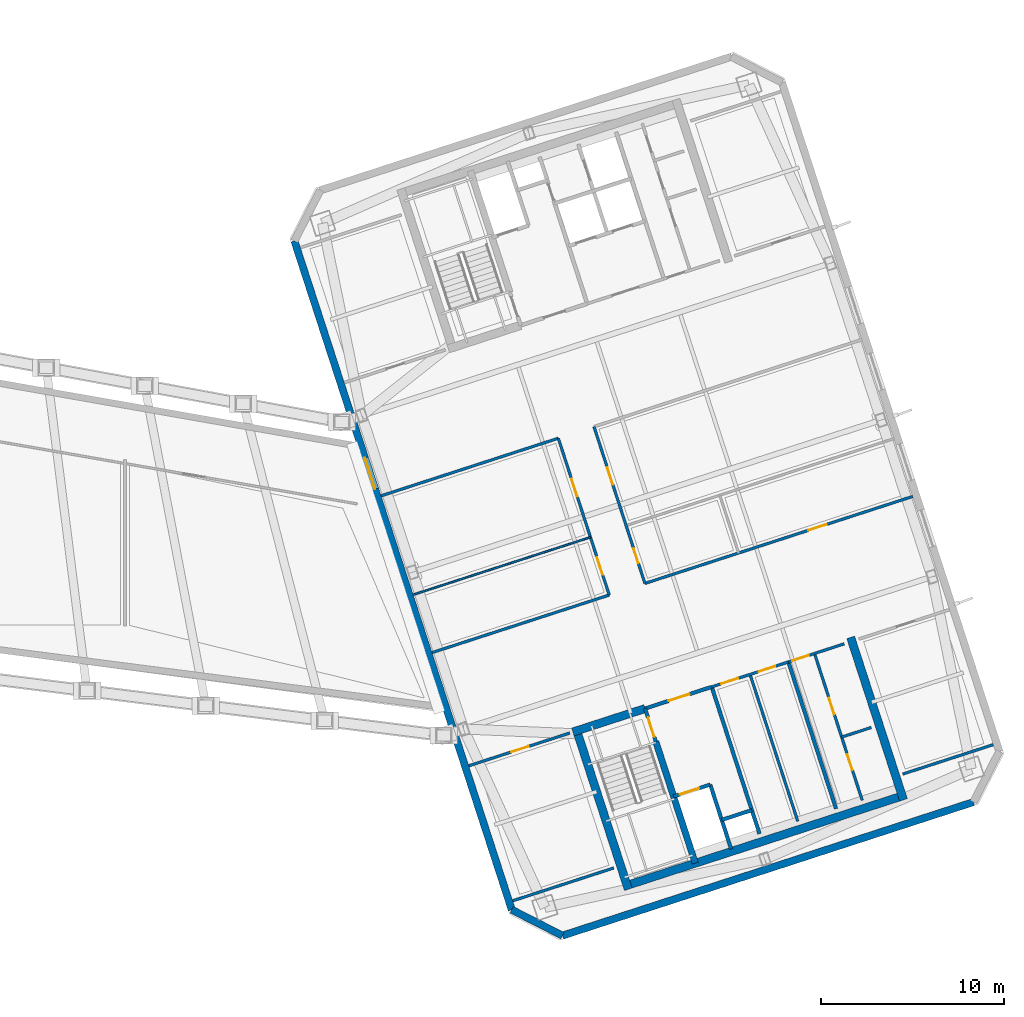
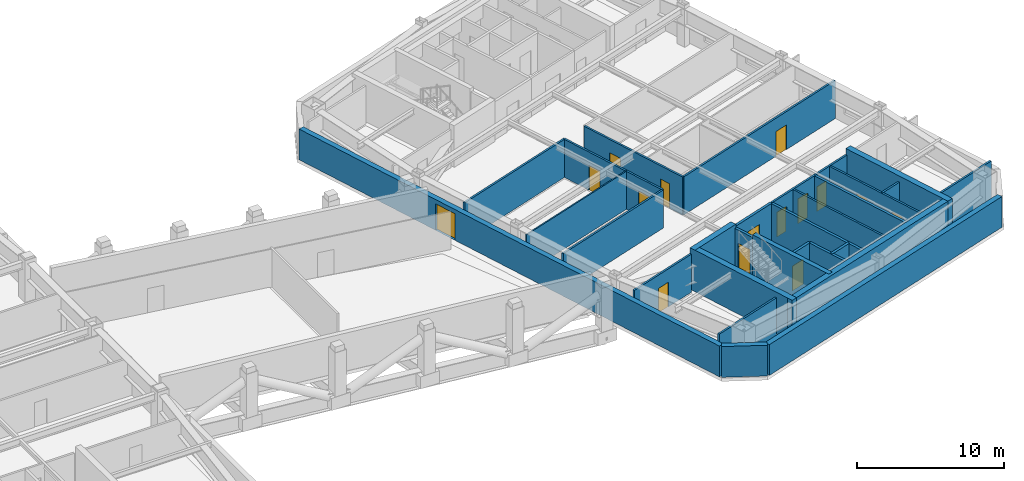
# One storey, part 9 of 19: 29 walls, 15 doors, 15 openings.
"""IFC4 building model written with IfcOpenShell, lengths in metres."""

from ifc_helpers import new_model, si_unit, direction, frame, frame_2d, origin, place, context, subcontext, project, spatial, rectangle, extrude, material, layer, layer_set, type_object, element, fill, save


model = new_model("IFC4")

# Units and contexts
model_context = context("Model", 3, precision=1e-05, world=origin(), true_north=direction((0.0, 1.0)))
body_context = subcontext(model_context, "Body", "Model", "MODEL_VIEW")
ifc_project = project(units=[si_unit("LENGTHUNIT", "METRE"), si_unit("AREAUNIT", "SQUARE_METRE"), si_unit("VOLUMEUNIT", "CUBIC_METRE"), si_unit("PLANEANGLEUNIT", "RADIAN"), si_unit("MASSUNIT", "GRAM", prefix="KILO")], contexts=[model_context])

# Site, building, storey
site_placement = place(None, origin())
site = spatial("IfcSite", under=ifc_project, at=site_placement, CompositionType="ELEMENT")
building_placement = place(site_placement, origin())
building = spatial("IfcBuilding", under=site, at=building_placement, Name="Qiaolan Cultural Towers", CompositionType="ELEMENT")
storey_placement = place(building_placement, frame((0.0, 0.0, 216.199951171875)))
storey = spatial("IfcBuildingStorey", under=building, at=storey_placement, Name="L58", CompositionType="ELEMENT", Elevation=216.199951171875)

# Walls
ifc_material_1 = material(Name="Concrete C50", Category="concrete")
ifc_layer_1 = layer(ifc_material_1, 0.35009765625)
ifc_layer_set_1 = layer_set([ifc_layer_1], Name="Concrete C50")
wall_type_1 = type_object("IfcWallType", Name="WL-CORE-350", PredefinedType="SHEAR", material=ifc_layer_set_1)
wall_1_placement = place(storey_placement, frame((90.486328125, 20.59423828125, 0.0), z_axis=(0.0, 0.0, 1.0), x_axis=(0.309020428229, -0.951055400562, 0.0)))
element("IfcWall", 1, at=wall_1_placement, inside=storey, type_object=wall_type_1, Name="L58 T2-CS Stair Core Dividing Web", PredefinedType="SHEAR", context=body_context, shape_type="SweptSolid", body=[
    extrude(rectangle(XDim=6.97998046875, YDim=0.35009765625, at=frame_2d((3.489990234375, 0.0))), origin(), (0.0, 0.0, 1.0), 3.449951171875),
])
ifc_material_2 = material(Name="Concrete C50", Category="concrete")
ifc_layer_2 = layer(ifc_material_2, 0.449951171875)
ifc_layer_set_2 = layer_set([ifc_layer_2], Name="Concrete C50")
wall_type_2 = type_object("IfcWallType", Name="WL-CORE-450", PredefinedType="SHEAR", material=ifc_layer_set_2)
wall_2_placement = place(storey_placement, frame((88.701171875, 12.675048828125, 0.0), z_axis=(0.0, 0.0, 1.0), x_axis=(0.95105824505, 0.309011673763, 0.0)))
element("IfcWall", 2, at=wall_2_placement, inside=storey, type_object=wall_type_2, Name="L58 T2-CS Outer Core Shear Wall", PredefinedType="SHEAR", context=body_context, shape_type="SweptSolid", body=[
    extrude(rectangle(XDim=16.250244140625, YDim=0.449951171875, at=frame_2d((8.125, 0.0))), origin(), (0.0, 0.0, 1.0), 3.449951171875),
])
for number, where, z_axis, x_axis, name in (
    (3, (86.1015625, 21.40380859375, 0.0), (0.0, 0.0, 1.0), (0.309035778627, -0.951050412717, 0.0), "L58 T2-CS West Core Shear Wall"),
    (4, (101.12841796875, 26.286376953125, 0.0), (0.0, 0.0, 1.0), (0.309004419953, -0.951060601881, 0.0), "L58 T2-CS East Core Shear Wall"),
):
    element("IfcWall", number, at=place(storey_placement, frame(where, z_axis=z_axis, x_axis=x_axis)), inside=storey, type_object=wall_type_2, Name=name, PredefinedType="SHEAR", context=body_context, shape_type="SweptSolid", body=[
        extrude(rectangle(XDim=9.330078125, YDim=0.449951171875, at=frame_2d((4.6650390625, 0.0))), origin(), (0.0, 0.0, 1.0), 3.449951171875),
    ])
wall_3_placement = place(storey_placement, frame((85.957275390625, 21.120361328125, 0.0), z_axis=(0.0, 0.0, 1.0), x_axis=(0.951064796122, 0.308991510526, 0.0)))
element("IfcWall", 5, at=wall_3_placement, inside=storey, type_object=wall_type_2, Name="L58 T2-CS Stair Front Shear Wall", PredefinedType="SHEAR", context=body_context, shape_type="SweptSolid", body=[
    extrude(rectangle(XDim=4.14501953125, YDim=0.449951171875, at=frame_2d((2.072509765625, 0.0))), origin(), (0.0, 0.0, 1.0), 3.449951171875),
])

# Wall, opening, door
ifc_material_3 = material(Name="Precast Concrete C50 Honed Stone Pier", Category="masonry")
ifc_layer_3 = layer(ifc_material_3, 0.39990234375)
ifc_layer_set_3 = layer_set([ifc_layer_3], Name="Precast Concrete C50 Honed Stone Pier")
wall_type_3 = type_object("IfcWallType", Name="WL-EXT-PIER-400", PredefinedType="SOLIDWALL", material=ifc_layer_set_3)
wall_4_placement = place(storey_placement, frame((82.618408203125, 11.41357421875, 0.0), z_axis=(0.0, 0.0, 1.0), x_axis=(-0.309016491071, 0.951056679828, 0.0)))
wall_4 = element("IfcWall", 6, at=wall_4_placement, inside=storey, type_object=wall_type_3, Name="L58 East Tower Precast Pier Facade Wall F1", PredefinedType="SOLIDWALL", context=body_context, shape_type="SweptSolid", body=[
    extrude(rectangle(XDim=38.39990234375, YDim=0.39990234375, at=frame_2d((19.199951171875, 0.0))), origin(), (0.0, 0.0, 1.0), 2.550048828125),
])
opening_1_placement = place(wall_4_placement, frame((24.14990234375, 0.0, 0.0)))
opening_1 = element("IfcOpeningElement", 7, at=opening_1_placement, cuts=wall_4, Name="Opening FD-B1", PredefinedType="OPENING", context=body_context, shape_type="SweptSolid", body=[
    extrude(rectangle(XDim=1.800048828125, YDim=2.199951171875, at=frame_2d((0.89990234375, 1.10009765625))), frame((0.0, 0.2099609375, 0.0), z_axis=(0.0, -1.0, 0.0), x_axis=(1.0, 0.0, 0.0)), (0.0, 0.0, 1.0), 0.419921875),
])
ifc_material_4 = material(Name="Galvanized Steel Fire-Rated Bridge Door", Category="steel")
door_type_1 = type_object("IfcDoorType", Name="DR-BRG-1800", OperationType="NOTDEFINED", PredefinedType="DOOR", material=ifc_material_4)
door_1_placement = place(opening_1_placement, origin())
door_1 = element("IfcDoor", 8, at=door_1_placement, inside=storey, type_object=door_type_1, Name="L58 East Tower Sky Park Bridge Fire Door", OperationType="SINGLE_SWING_RIGHT", OverallHeight=2.199951171875, OverallWidth=1.800048828125, PredefinedType="DOOR", context=body_context, shape_type="SweptSolid", body=[
    extrude(rectangle(XDim=1.800048828125, YDim=2.199951171875, at=frame_2d((0.89990234375, 1.10009765625))), frame((0.0, 0.02490234375, 0.0), z_axis=(0.0, -1.0, 0.0), x_axis=(1.0, 0.0, 0.0)), (0.0, 0.0, 1.0), 0.050048828125),
])
fill(opening_1, door_1)

# Walls
wall_5_placement = place(storey_placement, frame((107.83544921875, 17.293701171875, 0.0), z_axis=(0.0, 0.0, 1.0), x_axis=(-0.951058012937, -0.309012388148, 0.0)))
element("IfcWall", 9, at=wall_5_placement, inside=storey, type_object=wall_type_3, Name="L58 East Tower Precast Pier Facade Wall F7", PredefinedType="SOLIDWALL", context=body_context, shape_type="SweptSolid", body=[
    extrude(rectangle(XDim=23.60009765625, YDim=0.39990234375, at=frame_2d((11.800048828125, 0.0))), origin(), (0.0, 0.0, 1.0), 2.550048828125),
])
wall_6_placement = place(storey_placement, frame((85.390380859375, 10.0009765625, 0.0), z_axis=(0.0, 0.0, 1.0), x_axis=(-0.890979603174, 0.454043331334, 0.0)))
element("IfcWall", 10, at=wall_6_placement, inside=storey, type_object=wall_type_3, Name="L58 East Tower Precast Pier Facade Wall F8", PredefinedType="SOLIDWALL", context=body_context, shape_type="SweptSolid", body=[
    extrude(rectangle(XDim=3.111083984375, YDim=0.39990234375, at=frame_2d((1.5556640625, 0.0))), origin(), (0.0, 0.0, 1.0), 2.550048828125),
])

# Wall, opening, door
ifc_material_5 = material(Name="Concrete C35 Fire Wall", Category="concrete")
ifc_layer_4 = layer(ifc_material_5, 0.199951171875)
ifc_layer_set_4 = layer_set([ifc_layer_4], Name="Concrete C35 Fire Wall")
wall_type_4 = type_object("IfcWallType", Name="WL-FIRE-200", PredefinedType="PARTITIONING", material=ifc_layer_set_4)
wall_7_placement = place(storey_placement, frame((89.8994140625, 22.401123046875, 0.0), z_axis=(0.0, 0.0, 1.0), x_axis=(0.308932062672, -0.951084108086, 0.0)))
wall_7 = element("IfcWall", 11, at=wall_7_placement, inside=storey, type_object=wall_type_4, Name="L58 T2-CS Smokeproof Stair Entry Wall", PredefinedType="PARTITIONING", context=body_context, shape_type="SweptSolid", body=[
    extrude(rectangle(XDim=1.89990234375, YDim=0.199951171875, at=frame_2d((0.949951171875, 0.0))), origin(), (0.0, 0.0, 1.0), 3.155029296875),
])
opening_2_placement = place(wall_7_placement, frame((0.52001953125, 0.0, 0.0)))
opening_2 = element("IfcOpeningElement", 12, at=opening_2_placement, cuts=wall_7, Name="Opening FD-04", PredefinedType="OPENING", context=body_context, shape_type="SweptSolid", body=[
    extrude(rectangle(XDim=1.10009765625, YDim=2.050048828125, at=frame_2d((0.550048828125, 1.02490234375))), frame((0.0, 0.10986328125, 0.0), z_axis=(0.0, -1.0, 0.0), x_axis=(1.0, 0.0, 0.0)), (0.0, 0.0, 1.0), 0.219970703125),
])
ifc_material_6 = material(Name="Galvanized Steel Command Fire Door", Category="steel")
door_type_2 = type_object("IfcDoorType", Name="DR-FD90-1100", OperationType="NOTDEFINED", PredefinedType="DOOR", material=ifc_material_6)
door_2_placement = place(opening_2_placement, origin())
door_2 = element("IfcDoor", 13, at=door_2_placement, inside=storey, type_object=door_type_2, Name="L58 ST-E1 Smokeproof Stair Fire Door", OperationType="SINGLE_SWING_LEFT", OverallHeight=2.050048828125, OverallWidth=1.10009765625, PredefinedType="DOOR", context=body_context, shape_type="SweptSolid", body=[
    extrude(rectangle(XDim=1.10009765625, YDim=2.050048828125, at=frame_2d((0.550048828125, 1.02490234375))), frame((0.0, 0.02490234375, 0.0), z_axis=(0.0, -1.0, 0.0), x_axis=(1.0, 0.0, 0.0)), (0.0, 0.0, 1.0), 0.050048828125),
])
fill(opening_2, door_2)

# Wall
wall_8_placement = place(storey_placement, frame((93.541748046875, 23.584716796875, 0.0), z_axis=(0.0, 0.0, 1.0), x_axis=(0.309042196757, -0.951048327176, 0.0)))
element("IfcWall", 14, at=wall_8_placement, inside=storey, type_object=wall_type_4, Name="L58 T2-CS Firefighting Zone Wall", PredefinedType="PARTITIONING", context=body_context, shape_type="SweptSolid", body=[
    extrude(rectangle(XDim=8.429931640625, YDim=0.199951171875, at=frame_2d((4.21484375, 0.0))), origin(), (0.0, 0.0, 1.0), 3.155029296875),
])

# Wall, opening, door
wall_9_placement = place(storey_placement, frame((89.8994140625, 22.401123046875, 0.0), z_axis=(0.0, 0.0, 1.0), x_axis=(0.951046716504, 0.309047153403, 0.0)))
wall_9 = element("IfcWall", 15, at=wall_9_placement, inside=storey, type_object=wall_type_4, Name="L58 T2-CS Firefighting Lobby Front Wall", PredefinedType="PARTITIONING", context=body_context, shape_type="SweptSolid", body=[
    extrude(rectangle(XDim=3.829833984375, YDim=0.199951171875, at=frame_2d((1.9150390625, 0.0))), origin(), (0.0, 0.0, 1.0), 3.155029296875),
])
opening_3_placement = place(wall_9_placement, frame((1.35009765625, 0.0, 0.0)))
opening_3 = element("IfcOpeningElement", 16, at=opening_3_placement, cuts=wall_9, Name="Opening FD-03", PredefinedType="OPENING", context=body_context, shape_type="SweptSolid", body=[
    extrude(rectangle(XDim=1.199951171875, YDim=2.050048828125, at=frame_2d((0.60009765625, 1.02490234375))), frame((0.0, 0.10986328125, 0.0), z_axis=(0.0, -1.0, 0.0), x_axis=(1.0, 0.0, 0.0)), (0.0, 0.0, 1.0), 0.219970703125),
])
ifc_material_7 = material(Name="Galvanized Steel Smokeproof Lobby Fire Door", Category="steel")
door_type_3 = type_object("IfcDoorType", Name="DR-FD90-1200", OperationType="NOTDEFINED", PredefinedType="DOOR", material=ifc_material_7)
door_3_placement = place(opening_3_placement, origin())
door_3 = element("IfcDoor", 17, at=door_3_placement, inside=storey, type_object=door_type_3, Name="L58 FFL-E1 Firefighting Lobby Fire Door", OperationType="SINGLE_SWING_LEFT", OverallHeight=2.050048828125, OverallWidth=1.199951171875, PredefinedType="DOOR", context=body_context, shape_type="SweptSolid", body=[
    extrude(rectangle(XDim=1.199951171875, YDim=2.050048828125, at=frame_2d((0.60009765625, 1.02490234375))), frame((0.0, 0.02490234375, 0.0), z_axis=(0.0, -1.0, 0.0), x_axis=(1.0, 0.0, 0.0)), (0.0, 0.0, 1.0), 0.050048828125),
])
fill(opening_3, door_3)

wall_10_placement = place(storey_placement, frame((91.459716796875, 17.598388671875, 0.0), z_axis=(0.0, 0.0, 1.0), x_axis=(0.951062257173, 0.308999325213, 0.0)))
wall_10 = element("IfcWall", 18, at=wall_10_placement, inside=storey, type_object=wall_type_4, Name="L58 T2-CS Firefighting Shaft Front Wall", PredefinedType="PARTITIONING", context=body_context, shape_type="SweptSolid", body=[
    extrude(rectangle(XDim=2.10009765625, YDim=0.199951171875, at=frame_2d((1.050048828125, 0.0))), origin(), (0.0, 0.0, 1.0), 3.155029296875),
])
opening_4_placement = place(wall_10_placement, frame((0.35009765625, 0.0, 0.0)))
opening_4 = element("IfcOpeningElement", 19, at=opening_4_placement, cuts=wall_10, Name="Opening LD-01", PredefinedType="OPENING", context=body_context, shape_type="SweptSolid", body=[
    extrude(rectangle(XDim=1.10009765625, YDim=2.050048828125, at=frame_2d((0.550048828125, 1.02490234375))), frame((0.0, 0.10986328125, 0.0), z_axis=(0.0, -1.0, 0.0), x_axis=(1.0, 0.0, 0.0)), (0.0, 0.0, 1.0), 0.219970703125),
])
ifc_material_8 = material(Name="Brushed Stainless Steel S30408 Centre-Parting Lift Landing Door", Category="steel")
door_type_4 = type_object("IfcDoorType", Name="DR-LIFT-1100", OperationType="NOTDEFINED", PredefinedType="DOOR", material=ifc_material_8)
door_4_placement = place(opening_4_placement, origin())
door_4 = element("IfcDoor", 20, at=door_4_placement, inside=storey, type_object=door_type_4, Name="L58 FFL-E1 Firefighting Lift Landing Door", OperationType="DOUBLE_DOOR_SLIDING", OverallHeight=2.050048828125, OverallWidth=1.10009765625, PredefinedType="DOOR", context=body_context, shape_type="SweptSolid", body=[
    extrude(rectangle(XDim=1.10009765625, YDim=2.050048828125, at=frame_2d((0.550048828125, 1.02490234375))), frame((0.0, 0.02490234375, 0.0), z_axis=(0.0, -1.0, 0.0), x_axis=(1.0, 0.0, 0.0)), (0.0, 0.0, 1.0), 0.050048828125),
])
fill(opening_4, door_4)

# Walls
wall_11_placement = place(storey_placement, frame((93.45703125, 18.247314453125, 0.0), z_axis=(0.0, 0.0, 1.0), x_axis=(0.3089935693, -0.951064127245, 0.0)))
element("IfcWall", 21, at=wall_11_placement, inside=storey, type_object=wall_type_4, Name="L58 T2-CS Firefighting Hoistway East Wall", PredefinedType="PARTITIONING", context=body_context, shape_type="SweptSolid", body=[
    extrude(rectangle(XDim=3.7001953125, YDim=0.199951171875, at=frame_2d((1.85009765625, 0.0))), origin(), (0.0, 0.0, 1.0), 3.155029296875),
])
wall_12_placement = place(storey_placement, frame((94.08447265625, 16.316650390625, 0.0), z_axis=(0.0, 0.0, 1.0), x_axis=(0.951041328149, 0.309063734775, 0.0)))
element("IfcWall", 22, at=wall_12_placement, inside=storey, type_object=wall_type_4, Name="L58 T2-CS Pressurization Shaft Front Wall", PredefinedType="PARTITIONING", context=body_context, shape_type="SweptSolid", body=[
    extrude(rectangle(XDim=1.72998046875, YDim=0.199951171875, at=frame_2d((0.864990234375, 0.0))), origin(), (0.0, 0.0, 1.0), 3.155029296875),
])
wall_13_placement = place(storey_placement, frame((97.7265625, 24.9443359375, 0.0), z_axis=(0.0, 0.0, 1.0), x_axis=(0.309016001439, -0.951056838919, 0.0)))
element("IfcWall", 23, at=wall_13_placement, inside=storey, type_object=wall_type_4, Name="L58 T2-CS Lift Core East Wall", PredefinedType="PARTITIONING", context=body_context, shape_type="SweptSolid", body=[
    extrude(rectangle(XDim=8.429931640625, YDim=0.199951171875, at=frame_2d((4.21484375, 0.0))), origin(), (0.0, 0.0, 1.0), 3.155029296875),
])
ifc_material_9 = material(Name="Acoustic Double-Glazed Partition Frame", Category="glass")
ifc_layer_5 = layer(ifc_material_9, 0.10009765625)
ifc_layer_set_5 = layer_set([ifc_layer_5], Name="Acoustic Double-Glazed Partition Frame")
wall_type_5 = type_object("IfcWallType", Name="WL-GLAZED-100", PredefinedType="MOVABLE", material=ifc_layer_set_5)
wall_14_placement = place(storey_placement, frame((77.239990234375, 28.61328125, 0.0), z_axis=(0.0, 0.0, 1.0), x_axis=(0.951055402118, 0.30902042344, 0.0)))
element("IfcWall", 24, at=wall_14_placement, inside=storey, type_object=wall_type_5, Name="L58 T2 Interior Wall", PredefinedType="MOVABLE", context=body_context, shape_type="SweptSolid", body=[
    extrude(rectangle(XDim=10.175048828125, YDim=0.10009765625, at=frame_2d((5.08740234375, 0.0))), origin(), (0.0, 0.0, 1.0), 3.155029296875),
])

# Wall, openings, doors
ifc_material_10 = material(Name="Autoclaved Aerated Concrete Block B06", Category="concrete")
ifc_layer_6 = layer(ifc_material_10, 0.14990234375)
ifc_layer_set_6 = layer_set([ifc_layer_6], Name="Autoclaved Aerated Concrete Block B06")
wall_type_6 = type_object("IfcWallType", Name="WL-PART-150", PredefinedType="PARTITIONING", material=ifc_layer_set_6)
wall_15_placement = place(storey_placement, frame((93.541748046875, 23.584716796875, 0.0), z_axis=(0.0, 0.0, 1.0), x_axis=(0.951063829732, 0.308994485023, 0.0)))
wall_15 = element("IfcWall", 25, at=wall_15_placement, inside=storey, type_object=wall_type_6, Name="L58 T2-CS Reclaimed Core Room Front Wall", PredefinedType="PARTITIONING", context=body_context, shape_type="SweptSolid", body=[
    extrude(rectangle(XDim=4.400146484375, YDim=0.14990234375, at=frame_2d((2.2001953125, 0.0))), origin(), (0.0, 0.0, 1.0), 3.155029296875),
])
opening_5_placement = place(wall_15_placement, frame((0.550048828125, 0.0, 0.0)))
opening_5 = element("IfcOpeningElement", 26, at=opening_5_placement, cuts=wall_15, Name="Opening ID-05", PredefinedType="OPENING", context=body_context, shape_type="SweptSolid", body=[
    extrude(rectangle(XDim=0.949951171875, YDim=2.050048828125, at=frame_2d((0.47509765625, 1.02490234375))), frame((0.0, 0.0849609375, 0.0), z_axis=(0.0, -1.0, 0.0), x_axis=(1.0, 0.0, 0.0)), (0.0, 0.0, 1.0), 0.169921875),
])
opening_6_placement = place(wall_15_placement, frame((2.699951171875, 0.0, 0.0)))
opening_6 = element("IfcOpeningElement", 27, at=opening_6_placement, cuts=wall_15, Name="Opening ID-05", PredefinedType="OPENING", context=body_context, shape_type="SweptSolid", body=[
    extrude(rectangle(XDim=0.949951171875, YDim=2.050048828125, at=frame_2d((0.47509765625, 1.02490234375))), frame((0.0, 0.0849609375, 0.0), z_axis=(0.0, -1.0, 0.0), x_axis=(1.0, 0.0, 0.0)), (0.0, 0.0, 1.0), 0.169921875),
])
ifc_material_11 = material(Name="Fire-Rated Laminate Accessible Core Door", Category="timber")
door_type_5 = type_object("IfcDoorType", Name="DR-INT-950", OperationType="NOTDEFINED", PredefinedType="DOOR", material=ifc_material_11)
door_5_placement = place(opening_5_placement, origin())
door_5 = element("IfcDoor", 28, at=door_5_placement, inside=storey, type_object=door_type_5, Name="L58 Copy Print Room Door", OperationType="SINGLE_SWING_LEFT", OverallHeight=2.050048828125, OverallWidth=0.949951171875, PredefinedType="DOOR", context=body_context, shape_type="SweptSolid", body=[
    extrude(rectangle(XDim=0.949951171875, YDim=2.050048828125, at=frame_2d((0.47509765625, 1.02490234375))), frame((0.0, 0.02490234375, 0.0), z_axis=(0.0, -1.0, 0.0), x_axis=(1.0, 0.0, 0.0)), (0.0, 0.0, 1.0), 0.050048828125),
])
fill(opening_5, door_5)
door_6_placement = place(opening_6_placement, origin())
door_6 = element("IfcDoor", 29, at=door_6_placement, inside=storey, type_object=door_type_5, Name="L58 Tea Pantry Room Door", OperationType="SINGLE_SWING_RIGHT", OverallHeight=2.050048828125, OverallWidth=0.949951171875, PredefinedType="DOOR", context=body_context, shape_type="SweptSolid", body=[
    extrude(rectangle(XDim=0.949951171875, YDim=2.050048828125, at=frame_2d((0.47509765625, 1.02490234375))), frame((0.0, 0.02490234375, 0.0), z_axis=(0.0, -1.0, 0.0), x_axis=(1.0, 0.0, 0.0)), (0.0, 0.0, 1.0), 0.050048828125),
])
fill(opening_6, door_6)

# Wall
wall_16_placement = place(storey_placement, frame((95.63427734375, 24.2646484375, 0.0), z_axis=(0.0, 0.0, 1.0), x_axis=(0.309007490203, -0.951059604335, 0.0)))
element("IfcWall", 30, at=wall_16_placement, inside=storey, type_object=wall_type_6, Name="L58 T2-CS Reclaimed Twin Room Wall", PredefinedType="PARTITIONING", context=body_context, shape_type="SweptSolid", body=[
    extrude(rectangle(XDim=8.43017578125, YDim=0.14990234375, at=frame_2d((4.215087890625, 0.0))), origin(), (0.0, 0.0, 1.0), 3.155029296875),
])

# Wall, opening, door
wall_17_placement = place(storey_placement, frame((97.7265625, 24.9443359375, 0.0), z_axis=(0.0, 0.0, 1.0), x_axis=(0.951036872128, 0.309077446369, 0.0)))
wall_17 = element("IfcWall", 31, at=wall_17_placement, inside=storey, type_object=wall_type_6, Name="L58 T2-CS Sanitary Core Front Wall", PredefinedType="PARTITIONING", context=body_context, shape_type="SweptSolid", body=[
    extrude(rectangle(XDim=3.199951171875, YDim=0.14990234375, at=frame_2d((1.60009765625, 0.0))), origin(), (0.0, 0.0, 1.0), 3.155029296875),
])
opening_7_placement = place(wall_17_placement, frame((0.219970703125, 0.0, 0.0)))
opening_7 = element("IfcOpeningElement", 32, at=opening_7_placement, cuts=wall_17, Name="Opening ID-05", PredefinedType="OPENING", context=body_context, shape_type="SweptSolid", body=[
    extrude(rectangle(XDim=0.949951171875, YDim=2.050048828125, at=frame_2d((0.47509765625, 1.02490234375))), frame((0.0, 0.0849609375, 0.0), z_axis=(0.0, -1.0, 0.0), x_axis=(1.0, 0.0, 0.0)), (0.0, 0.0, 1.0), 0.169921875),
])
door_7_placement = place(opening_7_placement, origin())
door_7 = element("IfcDoor", 33, at=door_7_placement, inside=storey, type_object=door_type_5, Name="L58 Sanitary Lobby Door", OperationType="SINGLE_SWING_LEFT", OverallHeight=2.050048828125, OverallWidth=0.949951171875, PredefinedType="DOOR", context=body_context, shape_type="SweptSolid", body=[
    extrude(rectangle(XDim=0.949951171875, YDim=2.050048828125, at=frame_2d((0.47509765625, 1.02490234375))), frame((0.0, 0.02490234375, 0.0), z_axis=(0.0, -1.0, 0.0), x_axis=(1.0, 0.0, 0.0)), (0.0, 0.0, 1.0), 0.050048828125),
])
fill(opening_7, door_7)

# Wall, openings, doors
wall_18_placement = place(storey_placement, frame((99.153076171875, 25.407958984375, 0.0), z_axis=(0.0, 0.0, 1.0), x_axis=(0.309016001439, -0.951056838919, 0.0)))
wall_18 = element("IfcWall", 34, at=wall_18_placement, inside=storey, type_object=wall_type_6, Name="L58 T2-CS Washroom Split Wall", PredefinedType="PARTITIONING", context=body_context, shape_type="SweptSolid", body=[
    extrude(rectangle(XDim=8.429931640625, YDim=0.14990234375, at=frame_2d((4.21484375, 0.0))), origin(), (0.0, 0.0, 1.0), 3.155029296875),
])
opening_8_placement = place(wall_18_placement, frame((2.550048828125, 0.0, 0.0)))
opening_8 = element("IfcOpeningElement", 35, at=opening_8_placement, cuts=wall_18, Name="Opening ID-05", PredefinedType="OPENING", context=body_context, shape_type="SweptSolid", body=[
    extrude(rectangle(XDim=0.949951171875, YDim=2.050048828125, at=frame_2d((0.47509765625, 1.02490234375))), frame((0.0, 0.0849609375, 0.0), z_axis=(0.0, -1.0, 0.0), x_axis=(1.0, 0.0, 0.0)), (0.0, 0.0, 1.0), 0.169921875),
])
opening_9_placement = place(wall_18_placement, frame((5.800048828125, 0.0, 0.0)))
opening_9 = element("IfcOpeningElement", 36, at=opening_9_placement, cuts=wall_18, Name="Opening ID-06", PredefinedType="OPENING", context=body_context, shape_type="SweptSolid", body=[
    extrude(rectangle(XDim=0.89990234375, YDim=2.050048828125, at=frame_2d((0.449951171875, 1.02490234375))), frame((0.0, 0.0849609375, 0.0), z_axis=(0.0, -1.0, 0.0), x_axis=(1.0, 0.0, 0.0)), (0.0, 0.0, 1.0), 0.169921875),
])
ifc_material_12 = material(Name="Fire-Rated Laminate Core Service Door", Category="timber")
door_type_6 = type_object("IfcDoorType", Name="DR-INT-900", OperationType="NOTDEFINED", PredefinedType="DOOR", material=ifc_material_12)
door_8_placement = place(opening_9_placement, origin())
door_8 = element("IfcDoor", 37, at=door_8_placement, inside=storey, type_object=door_type_6, Name="L58 First-Aid Room Door", OperationType="SINGLE_SWING_RIGHT", OverallHeight=2.050048828125, OverallWidth=0.89990234375, PredefinedType="DOOR", context=body_context, shape_type="SweptSolid", body=[
    extrude(rectangle(XDim=0.89990234375, YDim=2.050048828125, at=frame_2d((0.449951171875, 1.02490234375))), frame((0.0, 0.02490234375, 0.0), z_axis=(0.0, -1.0, 0.0), x_axis=(1.0, 0.0, 0.0)), (0.0, 0.0, 1.0), 0.050048828125),
])
fill(opening_9, door_8)
door_9_placement = place(opening_8_placement, origin())
door_9 = element("IfcDoor", 38, at=door_9_placement, inside=storey, type_object=door_type_5, Name="L58 Accessible Washroom Door", OperationType="SINGLE_SWING_LEFT", OverallHeight=2.050048828125, OverallWidth=0.949951171875, PredefinedType="DOOR", context=body_context, shape_type="SweptSolid", body=[
    extrude(rectangle(XDim=0.949951171875, YDim=2.050048828125, at=frame_2d((0.47509765625, 1.02490234375))), frame((0.0, 0.02490234375, 0.0), z_axis=(0.0, -1.0, 0.0), x_axis=(1.0, 0.0, 0.0)), (0.0, 0.0, 1.0), 0.050048828125),
])
fill(opening_8, door_9)

# Walls
wall_19_placement = place(storey_placement, frame((100.636474609375, 20.8427734375, 0.0), z_axis=(0.0, 0.0, 1.0), x_axis=(0.951040401051, 0.309066587596, 0.0)))
element("IfcWall", 39, at=wall_19_placement, inside=storey, type_object=wall_type_6, Name="L58 T2-CS First-Aid Wall", PredefinedType="PARTITIONING", context=body_context, shape_type="SweptSolid", body=[
    extrude(rectangle(XDim=1.699951171875, YDim=0.14990234375, at=frame_2d((0.85009765625, 0.0))), origin(), (0.0, 0.0, 1.0), 3.155029296875),
])
wall_20_placement = place(storey_placement, frame((82.66943359375, 11.9033203125, 0.0), z_axis=(0.0, 0.0, 1.0), x_axis=(0.951059431056, 0.309008023519, 0.0)))
element("IfcWall", 40, at=wall_20_placement, inside=storey, type_object=wall_type_6, Name="L58 T2 Flank Wall FLK-SW", PredefinedType="PARTITIONING", context=body_context, shape_type="SweptSolid", body=[
    extrude(rectangle(XDim=5.800048828125, YDim=0.14990234375, at=frame_2d((2.89990234375, 0.0))), origin(), (0.0, 0.0, 1.0), 3.155029296875),
])

# Wall, opening, door
wall_21_placement = place(storey_placement, frame((80.274658203125, 19.27392578125, 0.0), z_axis=(0.0, 0.0, 1.0), x_axis=(0.951059431056, 0.309008023519, 0.0)))
wall_21 = element("IfcWall", 41, at=wall_21_placement, inside=storey, type_object=wall_type_6, Name="L58 T2 Flank Front FLK-SW", PredefinedType="PARTITIONING", context=body_context, shape_type="SweptSolid", body=[
    extrude(rectangle(XDim=5.800048828125, YDim=0.14990234375, at=frame_2d((2.89990234375, 0.0))), origin(), (0.0, 0.0, 1.0), 3.155029296875),
])
opening_10_placement = place(wall_21_placement, frame((2.43603515625, 0.0, 0.0)))
opening_10 = element("IfcOpeningElement", 42, at=opening_10_placement, cuts=wall_21, Name="Opening ID-04", PredefinedType="OPENING", context=body_context, shape_type="SweptSolid", body=[
    extrude(rectangle(XDim=1.0, YDim=2.050048828125, at=frame_2d((0.5, 1.02490234375))), frame((0.0, 0.0849609375, 0.0), z_axis=(0.0, -1.0, 0.0), x_axis=(1.0, 0.0, 0.0)), (0.0, 0.0, 1.0), 0.169921875),
])
ifc_material_13 = material(Name="Oak Veneer Acoustic Office Door", Category="timber")
door_type_7 = type_object("IfcDoorType", Name="DR-INT-1000", OperationType="NOTDEFINED", PredefinedType="DOOR", material=ifc_material_13)
door_10_placement = place(opening_10_placement, origin())
door_10 = element("IfcDoor", 43, at=door_10_placement, inside=storey, type_object=door_type_7, Name="L58 T2 Corner Studio Door", OperationType="SINGLE_SWING_LEFT", OverallHeight=2.050048828125, OverallWidth=1.0, PredefinedType="DOOR", context=body_context, shape_type="SweptSolid", body=[
    extrude(rectangle(XDim=1.0, YDim=2.050048828125, at=frame_2d((0.5, 1.02490234375))), frame((0.0, 0.02490234375, 0.0), z_axis=(0.0, -1.0, 0.0), x_axis=(1.0, 0.0, 0.0)), (0.0, 0.0, 1.0), 0.050048828125),
])
fill(opening_10, door_10)

# Walls
wall_22_placement = place(storey_placement, frame((103.97314453125, 18.8251953125, 0.0), z_axis=(0.0, 0.0, 1.0), x_axis=(0.951055112834, 0.309021313752, 0.0)))
element("IfcWall", 44, at=wall_22_placement, inside=storey, type_object=wall_type_6, Name="L58 T2 Flank Wall FLK-SE", PredefinedType="PARTITIONING", context=body_context, shape_type="SweptSolid", body=[
    extrude(rectangle(XDim=5.2001953125, YDim=0.14990234375, at=frame_2d((2.60009765625, 0.0))), origin(), (0.0, 0.0, 1.0), 3.155029296875),
])
wall_23_placement = place(storey_placement, frame((78.26611328125, 25.455810546875, 0.0), z_axis=(0.0, 0.0, 1.0), x_axis=(0.951055402118, 0.30902042344, 0.0)))
element("IfcWall", 45, at=wall_23_placement, inside=storey, type_object=wall_type_6, Name="L58 T2 South Foyer West Wall", PredefinedType="PARTITIONING", context=body_context, shape_type="SweptSolid", body=[
    extrude(rectangle(XDim=10.175048828125, YDim=0.14990234375, at=frame_2d((5.08740234375, 0.0))), origin(), (0.0, 0.0, 1.0), 3.155029296875),
])

# Wall, opening, door
wall_24_placement = place(storey_placement, frame((89.892578125, 29.233642578125, 0.0), z_axis=(0.0, 0.0, 1.0), x_axis=(0.951059970956, 0.309006361819, 0.0)))
wall_24 = element("IfcWall", 46, at=wall_24_placement, inside=storey, type_object=wall_type_6, Name="L58 T2 South Foyer East Wall", PredefinedType="PARTITIONING", context=body_context, shape_type="SweptSolid", body=[
    extrude(rectangle(XDim=15.375, YDim=0.14990234375, at=frame_2d((7.6875, 0.0))), origin(), (0.0, 0.0, 1.0), 3.155029296875),
])
opening_11_placement = place(wall_24_placement, frame((9.375, 0.0, 0.0)))
opening_11 = element("IfcOpeningElement", 47, at=opening_11_placement, cuts=wall_24, Name="Opening ID-07", PredefinedType="OPENING", context=body_context, shape_type="SweptSolid", body=[
    extrude(rectangle(XDim=1.050048828125, YDim=2.050048828125, at=frame_2d((0.52490234375, 1.02490234375))), frame((0.0, 0.0849609375, 0.0), z_axis=(0.0, -1.0, 0.0), x_axis=(1.0, 0.0, 0.0)), (0.0, 0.0, 1.0), 0.169921875),
])
ifc_material_14 = material(Name="Oak Veneer Consultation Door", Category="timber")
door_type_8 = type_object("IfcDoorType", Name="DR-INT-1050", OperationType="NOTDEFINED", PredefinedType="DOOR", material=ifc_material_14)
door_11_placement = place(opening_11_placement, origin())
door_11 = element("IfcDoor", 48, at=door_11_placement, inside=storey, type_object=door_type_8, Name="L58 T2 Curator Office Door", OperationType="SINGLE_SWING_RIGHT", OverallHeight=2.050048828125, OverallWidth=1.050048828125, PredefinedType="DOOR", context=body_context, shape_type="SweptSolid", body=[
    extrude(rectangle(XDim=1.050048828125, YDim=2.050048828125, at=frame_2d((0.52490234375, 1.02490234375))), frame((0.0, 0.02490234375, 0.0), z_axis=(0.0, -1.0, 0.0), x_axis=(1.0, 0.0, 0.0)), (0.0, 0.0, 1.0), 0.050048828125),
])
fill(opening_11, door_11)

# Wall
wall_25_placement = place(storey_placement, frame((75.48486328125, 34.015380859375, 0.0), z_axis=(0.0, 0.0, 1.0), x_axis=(0.951055402118, 0.30902042344, 0.0)))
element("IfcWall", 49, at=wall_25_placement, inside=storey, type_object=wall_type_6, Name="L58 T2 North Foyer West Wall", PredefinedType="PARTITIONING", context=body_context, shape_type="SweptSolid", body=[
    extrude(rectangle(XDim=10.175048828125, YDim=0.14990234375, at=frame_2d((5.08740234375, 0.0))), origin(), (0.0, 0.0, 1.0), 3.155029296875),
])

# Wall, openings, doors
wall_26_placement = place(storey_placement, frame((87.943115234375, 28.60009765625, 0.0), z_axis=(0.0, 0.0, 1.0), x_axis=(-0.309024734286, 0.951054001411, 0.0)))
wall_26 = element("IfcWall", 50, at=wall_26_placement, inside=storey, type_object=wall_type_6, Name="L58 T2 Central Spine West Wall", PredefinedType="PARTITIONING", context=body_context, shape_type="SweptSolid", body=[
    extrude(rectangle(XDim=9.0, YDim=0.14990234375, at=frame_2d((4.5, 0.0))), origin(), (0.0, 0.0, 1.0), 3.155029296875),
])
opening_12_placement = place(wall_26_placement, frame((1.159912109375, 0.0, 0.0)))
opening_12 = element("IfcOpeningElement", 51, at=opening_12_placement, cuts=wall_26, Name="Opening ID-04", PredefinedType="OPENING", context=body_context, shape_type="SweptSolid", body=[
    extrude(rectangle(XDim=1.0, YDim=2.050048828125, at=frame_2d((0.5, 1.02490234375))), frame((0.0, 0.0849609375, 0.0), z_axis=(0.0, -1.0, 0.0), x_axis=(1.0, 0.0, 0.0)), (0.0, 0.0, 1.0), 0.169921875),
])
opening_13_placement = place(wall_26_placement, frame((5.659912109375, 0.0, 0.0)))
opening_13 = element("IfcOpeningElement", 52, at=opening_13_placement, cuts=wall_26, Name="Opening ID-04", PredefinedType="OPENING", context=body_context, shape_type="SweptSolid", body=[
    extrude(rectangle(XDim=1.0, YDim=2.050048828125, at=frame_2d((0.5, 1.02490234375))), frame((0.0, 0.0849609375, 0.0), z_axis=(0.0, -1.0, 0.0), x_axis=(1.0, 0.0, 0.0)), (0.0, 0.0, 1.0), 0.169921875),
])
door_12_placement = place(opening_12_placement, origin())
door_12 = element("IfcDoor", 53, at=door_12_placement, inside=storey, type_object=door_type_7, Name="L58 T2 Sky Park Cultural Salon Door", OperationType="SINGLE_SWING_LEFT", OverallHeight=2.050048828125, OverallWidth=1.0, PredefinedType="DOOR", context=body_context, shape_type="SweptSolid", body=[
    extrude(rectangle(XDim=1.0, YDim=2.050048828125, at=frame_2d((0.5, 1.02490234375))), frame((0.0, 0.02490234375, 0.0), z_axis=(0.0, -1.0, 0.0), x_axis=(1.0, 0.0, 0.0)), (0.0, 0.0, 1.0), 0.050048828125),
])
fill(opening_12, door_12)
door_13_placement = place(opening_13_placement, origin())
door_13 = element("IfcDoor", 54, at=door_13_placement, inside=storey, type_object=door_type_7, Name="L58 T2 Botanical Lounge Door", OperationType="SINGLE_SWING_RIGHT", OverallHeight=2.050048828125, OverallWidth=1.0, PredefinedType="DOOR", context=body_context, shape_type="SweptSolid", body=[
    extrude(rectangle(XDim=1.0, YDim=2.050048828125, at=frame_2d((0.5, 1.02490234375))), frame((0.0, 0.02490234375, 0.0), z_axis=(0.0, -1.0, 0.0), x_axis=(1.0, 0.0, 0.0)), (0.0, 0.0, 1.0), 0.050048828125),
])
fill(opening_13, door_13)

wall_27_placement = place(storey_placement, frame((89.892578125, 29.233642578125, 0.0), z_axis=(0.0, 0.0, 1.0), x_axis=(-0.309008170129, 0.951059383421, 0.0)))
wall_27 = element("IfcWall", 55, at=wall_27_placement, inside=storey, type_object=wall_type_6, Name="L58 T2 Central Spine East Wall", PredefinedType="PARTITIONING", context=body_context, shape_type="SweptSolid", body=[
    extrude(rectangle(XDim=8.999755859375, YDim=0.14990234375, at=frame_2d((4.5, 0.0))), origin(), (0.0, 0.0, 1.0), 3.155029296875),
])
opening_14_placement = place(wall_27_placement, frame((1.159912109375, 0.0, 0.0)))
opening_14 = element("IfcOpeningElement", 56, at=opening_14_placement, cuts=wall_27, Name="Opening ID-09", PredefinedType="OPENING", context=body_context, shape_type="SweptSolid", body=[
    extrude(rectangle(XDim=0.85009765625, YDim=2.050048828125, at=frame_2d((0.425048828125, 1.02490234375))), frame((0.0, 0.0849609375, 0.0), z_axis=(0.0, -1.0, 0.0), x_axis=(1.0, 0.0, 0.0)), (0.0, 0.0, 1.0), 0.169921875),
])
opening_15_placement = place(wall_27_placement, frame((5.659912109375, 0.0, 0.0)))
opening_15 = element("IfcOpeningElement", 57, at=opening_15_placement, cuts=wall_27, Name="Opening ID-04", PredefinedType="OPENING", context=body_context, shape_type="SweptSolid", body=[
    extrude(rectangle(XDim=1.0, YDim=2.050048828125, at=frame_2d((0.5, 1.02490234375))), frame((0.0, 0.0849609375, 0.0), z_axis=(0.0, -1.0, 0.0), x_axis=(1.0, 0.0, 0.0)), (0.0, 0.0, 1.0), 0.169921875),
])
door_14_placement = place(opening_15_placement, origin())
door_14 = element("IfcDoor", 58, at=door_14_placement, inside=storey, type_object=door_type_7, Name="L58 T2 Curator Office Door", OperationType="SINGLE_SWING_LEFT", OverallHeight=2.050048828125, OverallWidth=1.0, PredefinedType="DOOR", context=body_context, shape_type="SweptSolid", body=[
    extrude(rectangle(XDim=1.0, YDim=2.050048828125, at=frame_2d((0.5, 1.02490234375))), frame((0.0, 0.02490234375, 0.0), z_axis=(0.0, -1.0, 0.0), x_axis=(1.0, 0.0, 0.0)), (0.0, 0.0, 1.0), 0.050048828125),
])
fill(opening_15, door_14)
ifc_material_15 = material(Name="Moisture-Resistant Laminate Utility Door", Category="timber")
door_type_9 = type_object("IfcDoorType", Name="DR-INT-850", OperationType="NOTDEFINED", PredefinedType="DOOR", material=ifc_material_15)
door_15_placement = place(opening_14_placement, origin())
door_15 = element("IfcDoor", 59, at=door_15_placement, inside=storey, type_object=door_type_9, Name="L58 T2 Sky Gallery Gift Shop Door", OperationType="SINGLE_SWING_LEFT", OverallHeight=2.050048828125, OverallWidth=0.85009765625, PredefinedType="DOOR", context=body_context, shape_type="SweptSolid", body=[
    extrude(rectangle(XDim=0.85009765625, YDim=2.050048828125, at=frame_2d((0.425048828125, 1.02490234375))), frame((0.0, 0.02490234375, 0.0), z_axis=(0.0, -1.0, 0.0), x_axis=(1.0, 0.0, 0.0)), (0.0, 0.0, 1.0), 0.050048828125),
])
fill(opening_14, door_15)

save(model, "model.ifc")
